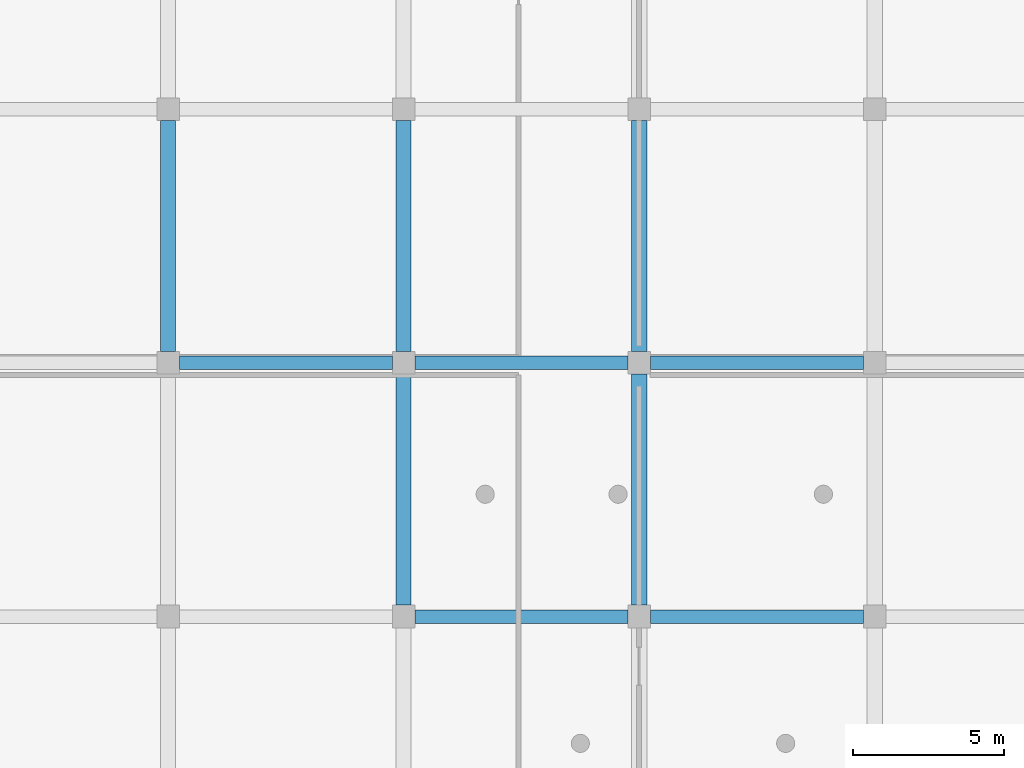
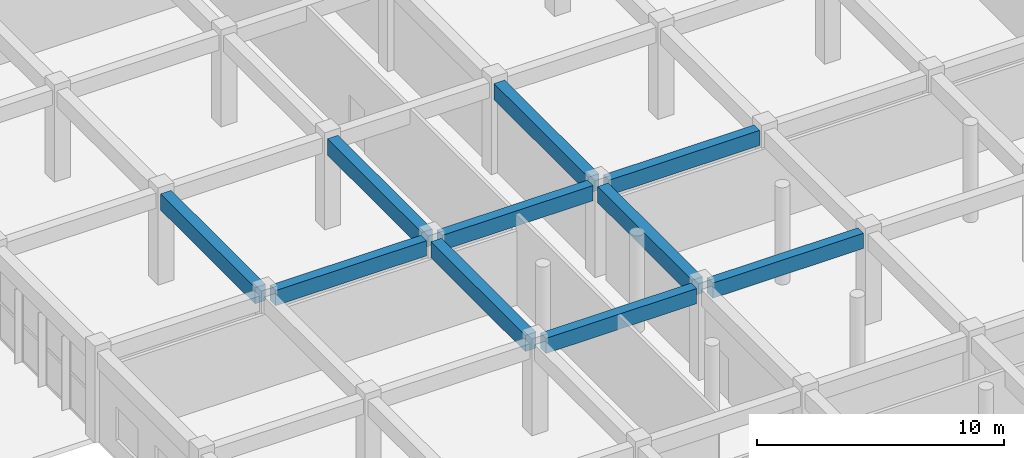
# One storey, part 13 of 175: 10 beams.
"""IFC4 building model written with IfcOpenShell, lengths in metres."""

import ifcopenshell
import ifcopenshell.guid

model = None  # the IFC model being written
_history = None  # IfcOwnerHistory: only IFC2X3 demands one
_inside = {}  # id of a spatial element -> (the spatial element, [elements in it])
_under = {}  # id of a project, library or spatial element -> (it, [spatial elements below it])
_declared = {}  # id of a project -> (the project, [libraries it declares])
_typed = {}  # id of a type object -> (the type object, [elements of that type])
_made_of = {}  # id of a material, layer set ... -> (it, [elements and type objects made of it])


def new_model(schema):
    """Start an empty IFC model of exactly this schema.

    Asked for "IFC4X3", IfcOpenShell would pick the latest addendum, in which some entities
    have other attributes; the version numbers below select the first issue.
    IFC2X3 requires an IfcOwnerHistory on every rooted entity: one is made here for all.
    """
    global model, _history
    if schema == "IFC4X3":
        model = ifcopenshell.file(schema_version=(4, 3, 0, 0))
    else:
        model = ifcopenshell.file(schema=schema)
    _inside.clear()
    _under.clear()
    _declared.clear()
    _typed.clear()
    _made_of.clear()
    _history = None
    if model.schema == "IFC2X3":
        org = make("IfcOrganization", Name="unknown")
        user = make(
            "IfcPersonAndOrganization",
            ThePerson=make("IfcPerson", FamilyName="unknown"),
            TheOrganization=org,
        )
        app = make(
            "IfcApplication",
            ApplicationDeveloper=org,
            Version="unknown",
            ApplicationFullName="unknown",
            ApplicationIdentifier="unknown",
        )
        _history = make(
            "IfcOwnerHistory",
            OwningUser=user,
            OwningApplication=app,
            ChangeAction="ADDED",
            CreationDate=0,
        )
    return model


def make(cls, **values):
    """One entity of the class cls with the attributes given. An attribute that is None is left unset."""
    return model.create_entity(
        cls, **{name: value for name, value in values.items() if value is not None}
    )


def rooted(cls, **values):
    """An entity with a GlobalId (a new one), such as an element, a storey or a relation."""
    return make(cls, GlobalId=ifcopenshell.guid.new(), OwnerHistory=_history, **values)


def si_unit(unit_type, name, prefix=None):
    """IfcSIUnit, for example si_unit("LENGTHUNIT", "METRE", prefix="MILLI")."""
    return make("IfcSIUnit", UnitType=unit_type, Prefix=prefix, Name=name)


def assignment(units):
    """IfcUnitAssignment: the units of a project."""
    return None if units is None else make("IfcUnitAssignment", Units=units)


def point(xyz):
    """IfcCartesianPoint."""
    return None if xyz is None else make("IfcCartesianPoint", Coordinates=xyz)


def direction(xyz):
    """IfcDirection."""
    return None if xyz is None else make("IfcDirection", DirectionRatios=xyz)


def frame(location, z_axis=None, x_axis=None):
    """IfcAxis2Placement3D, a coordinate frame: its origin and axes. An axis left out is left unset."""
    return make(
        "IfcAxis2Placement3D",
        Location=point(location),
        Axis=direction(z_axis),
        RefDirection=direction(x_axis),
    )


def frame_2d(location, x_axis=None):
    """IfcAxis2Placement2D, a coordinate frame in the plane: its origin and x axis."""
    return make(
        "IfcAxis2Placement2D", Location=point(location), RefDirection=direction(x_axis)
    )


def origin():
    """The frame at (0, 0, 0) with its axes left unset."""
    return frame((0.0, 0.0, 0.0))


def origin_2d():
    """The frame at (0, 0) in the plane with its x axis left unset."""
    return frame_2d((0.0, 0.0))


def place(relative_to, where):
    """IfcLocalPlacement: puts the frame where relative to a parent placement (None: the world)."""
    return make(
        "IfcLocalPlacement", PlacementRelTo=relative_to, RelativePlacement=where
    )


def context(
    kind, dimensions, precision=None, world=None, true_north=None, identifier=None
):
    """IfcGeometricRepresentationContext, for example the 3D "Model" context."""
    return make(
        "IfcGeometricRepresentationContext",
        ContextIdentifier=identifier,
        ContextType=kind,
        CoordinateSpaceDimension=dimensions,
        Precision=precision,
        WorldCoordinateSystem=world,
        TrueNorth=true_north,
    )


def subcontext(parent, identifier, kind, view, scale=None):
    """IfcGeometricRepresentationSubContext, for example "Body" below "Model"."""
    return make(
        "IfcGeometricRepresentationSubContext",
        ContextIdentifier=identifier,
        ContextType=kind,
        ParentContext=parent,
        TargetScale=scale,
        TargetView=view,
    )


def project(units=None, contexts=None):
    """IfcProject with its units and contexts."""
    return rooted(
        "IfcProject",
        Name="project",
        RepresentationContexts=contexts,
        UnitsInContext=assignment(units),
    )


def spatial(cls, under=None, at=None, **own):
    """A site, building, storey or space (cls), placed at a placement, below another one or the project."""
    s = rooted(cls, ObjectPlacement=at, **own)
    if under is not None:
        _under.setdefault(under.id(), (under, []))[1].append(s)
    return s


def profile(cls, at=None, kind="AREA", **sizes):
    """A parametric profile (cls). Its sizes go by their IFC names, for example OverallWidth=200.0."""
    return make(cls, ProfileType=kind, Position=at, **sizes)


def rectangle(**sizes):
    """IfcRectangleProfileDef."""
    return profile("IfcRectangleProfileDef", **sizes)


def extrude(swept, where, along, depth):
    """IfcExtrudedAreaSolid: the profile swept, set in the frame where, extruded along a direction by depth."""
    return make(
        "IfcExtrudedAreaSolid",
        SweptArea=swept,
        Position=where,
        ExtrudedDirection=direction(along),
        Depth=depth,
    )


def shape(context_of_items, identifier, shape_type, items):
    """IfcShapeRepresentation: the items that make up one representation, for example the "Body"."""
    return make(
        "IfcShapeRepresentation",
        ContextOfItems=context_of_items,
        RepresentationIdentifier=identifier,
        RepresentationType=shape_type,
        Items=items,
    )


def material(Name=None, Category=None):
    """IfcMaterial."""
    return make("IfcMaterial", Name=Name, Category=Category)


def material_profile(
    of_material, cross_section, Name=None, Category=None, Priority=None
):
    """IfcMaterialProfile: a cross section and its material."""
    return make(
        "IfcMaterialProfile",
        Name=Name,
        Material=of_material,
        Profile=cross_section,
        Priority=Priority,
        Category=Category,
    )


def profile_set(profiles, Name=None, composite=None):
    """IfcMaterialProfileSet."""
    return make(
        "IfcMaterialProfileSet",
        Name=Name,
        MaterialProfiles=profiles,
        CompositeProfile=composite,
    )


def made_of(thing, what):
    """Note that an element or type object is made of a material, layer set ...; save() writes the relation."""
    if what is not None:
        _made_of.setdefault(what.id(), (what, []))[1].append(thing)
    return thing


def type_object(cls, material=None, **own):
    """A type object (cls), such as IfcWallType, which elements share."""
    return made_of(rooted(cls, **own), material)


def element(
    cls,
    number,
    at=None,
    inside=None,
    cuts=None,
    type_object=None,
    material=None,
    context=None,
    identifier="Body",
    shape_type=None,
    held_by="IfcProductDefinitionShape",
    body=None,
    shapes=None,
    **own,
):
    """One element of the class cls, such as IfcWall. Its Tag is "e" and its number.

    at: its placement. inside: the storey or other place that contains it. cuts: it is an
    opening in that element (IfcRelVoidsElement). A single representation is given by context,
    identifier, shape_type and body (its items); several are given by shapes. held_by: the class
    of the entity that holds the representations. save() writes the other relations.
    """
    e = rooted(cls, Tag="e%d" % number, ObjectPlacement=at, **own)
    if body is not None:
        shapes = [shape(context, identifier, shape_type, body)]
    if shapes is not None:
        e.Representation = make(held_by, Representations=shapes)
    if inside is not None:
        _inside.setdefault(inside.id(), (inside, []))[1].append(e)
    if cuts is not None:
        rooted(
            "IfcRelVoidsElement", RelatingBuildingElement=cuts, RelatedOpeningElement=e
        )
    if type_object is not None:
        _typed.setdefault(type_object.id(), (type_object, []))[1].append(e)
    return made_of(e, material)


def aggregate(whole, parts):
    """IfcRelAggregates: a whole, such as a stair, and the parts it consists of."""
    return rooted("IfcRelAggregates", RelatingObject=whole, RelatedObjects=parts)


def save(model, path):
    """Write the relations noted so far, then the file.

    IfcRelAggregates (storeys below a building ...), IfcRelContainedInSpatialStructure (elements
    in a storey), IfcRelDefinesByType, IfcRelAssociatesMaterial and IfcRelDeclares: one each for
    every whole, place, type object, material and project.
    """
    for whole, parts in _under.values():
        aggregate(whole, parts)
    for where, things in _inside.values():
        rooted(
            "IfcRelContainedInSpatialStructure",
            RelatedElements=things,
            RelatingStructure=where,
        )
    for kind, things in _typed.values():
        rooted("IfcRelDefinesByType", RelatedObjects=things, RelatingType=kind)
    for what, things in _made_of.values():
        rooted("IfcRelAssociatesMaterial", RelatedObjects=things, RelatingMaterial=what)
    for by, libraries in _declared.values():
        rooted("IfcRelDeclares", RelatingContext=by, RelatedDefinitions=libraries)
    model.write(path)


model = new_model("IFC4")

# Units and contexts
model_context = context("Model", 3, precision=1e-05, world=origin(), true_north=direction((0.0, 1.0)))
body_context = subcontext(model_context, "Body", "Model", "MODEL_VIEW")
ifc_project = project(units=[si_unit("LENGTHUNIT", "METRE"), si_unit("AREAUNIT", "SQUARE_METRE"), si_unit("VOLUMEUNIT", "CUBIC_METRE"), si_unit("PLANEANGLEUNIT", "RADIAN"), si_unit("MASSUNIT", "GRAM", prefix="KILO")], contexts=[model_context])

# Site, building, storey
site_placement = place(None, origin())
site = spatial("IfcSite", under=ifc_project, at=site_placement, CompositionType="ELEMENT")
building_placement = place(site_placement, origin())
building = spatial("IfcBuilding", under=site, at=building_placement, Name="Zizhar Promenade General Hospital", CompositionType="ELEMENT")
storey_placement = place(building_placement, frame((0.0, 0.0, 4.800048828125)))
storey = spatial("IfcBuildingStorey", under=building, at=storey_placement, Name="L01", CompositionType="ELEMENT", Elevation=4.800048828125)

# Beams
ifc_material_1 = material(Name="Concrete C35/45", Category="concrete")
ifc_material_profile_1 = material_profile(ifc_material_1, rectangle(XDim=0.449951171875, YDim=0.75, at=origin_2d()))
ifc_profile_set_1 = profile_set([ifc_material_profile_1], Name="Concrete C35/45")
beam_type_1 = type_object("IfcBeamType", Name="BM-RC-450x750", PredefinedType="BEAM", material=ifc_profile_set_1)
beam_1_placement = place(storey_placement, frame((8.175048828125, 25.199951171875, 4.094970703125), z_axis=(1.0, 0.0, 0.0), x_axis=(0.0, 1.0, 0.0)))
element("IfcBeam", 1, at=beam_1_placement, inside=storey, type_object=beam_type_1, Name="Grid Beam X L01 (1-3)", PredefinedType="BEAM", context=body_context, shape_type="SweptSolid", body=[
    extrude(rectangle(XDim=0.449951171875, YDim=0.75, at=origin_2d()), origin(), (0.0, 0.0, 1.0), 7.050048828125),
])
for number, where, z_axis, x_axis, name in (
    (2, (15.97509765625, 16.800048828125, 4.094970703125), (1.0, 0.0, 0.0), (0.0, 1.0, 0.0), "Grid Beam X L01 (2-2)"),
    (3, (15.97509765625, 25.199951171875, 4.094970703125), (1.0, 0.0, 0.0), (0.0, 1.0, 0.0), "Grid Beam X L01 (2-3)"),
):
    element("IfcBeam", number, at=place(storey_placement, frame(where, z_axis=z_axis, x_axis=x_axis)), inside=storey, type_object=beam_type_1, Name=name, PredefinedType="BEAM", context=body_context, shape_type="SweptSolid", body=[
        extrude(rectangle(XDim=0.449951171875, YDim=0.75, at=origin_2d()), origin(), (0.0, 0.0, 1.0), 7.0498046875),
    ])
for number, where, z_axis, x_axis, name in (
    (4, (23.77490234375, 16.800048828125, 4.094970703125), (1.0, 0.0, 0.0), (0.0, 1.0, 0.0), "Grid Beam X L01 (3-2)"),
    (5, (23.77490234375, 25.199951171875, 4.094970703125), (1.0, 0.0, 0.0), (0.0, 1.0, 0.0), "Grid Beam X L01 (3-3)"),
):
    element("IfcBeam", number, at=place(storey_placement, frame(where, z_axis=z_axis, x_axis=x_axis)), inside=storey, type_object=beam_type_1, Name=name, PredefinedType="BEAM", context=body_context, shape_type="SweptSolid", body=[
        extrude(rectangle(XDim=0.449951171875, YDim=0.75, at=origin_2d()), origin(), (0.0, 0.0, 1.0), 7.050048828125),
    ])
ifc_material_2 = material(Name="Concrete C35/45", Category="concrete")
ifc_material_profile_2 = material_profile(ifc_material_2, rectangle(XDim=0.5, YDim=0.800048828125, at=origin_2d()))
ifc_profile_set_2 = profile_set([ifc_material_profile_2], Name="Concrete C35/45")
beam_type_2 = type_object("IfcBeamType", Name="BM-RC-500x800", PredefinedType="BEAM", material=ifc_profile_set_2)
beam_2_placement = place(storey_placement, frame((7.800048828125, 25.574951171875, 4.070068359375), z_axis=(0.0, 1.0, 0.0), x_axis=(-1.0, 0.0, 0.0)))
element("IfcBeam", 6, at=beam_2_placement, inside=storey, type_object=beam_type_2, Name="Grid Beam Y L01 (1-3)", PredefinedType="BEAM", context=body_context, shape_type="SweptSolid", body=[
    extrude(rectangle(XDim=0.5, YDim=0.800048828125, at=origin_2d()), origin(), (0.0, 0.0, 1.0), 7.650146484375),
])
beam_3_placement = place(storey_placement, frame((15.60009765625, 17.175048828125, 4.070068359375), z_axis=(0.0, 1.0, 0.0), x_axis=(-1.0, 0.0, 0.0)))
element("IfcBeam", 7, at=beam_3_placement, inside=storey, type_object=beam_type_2, Name="Grid Beam Y L01 (2-2)", PredefinedType="BEAM", context=body_context, shape_type="SweptSolid", body=[
    extrude(rectangle(XDim=0.5, YDim=0.800048828125, at=origin_2d()), origin(), (0.0, 0.0, 1.0), 7.64990234375),
])
beam_4_placement = place(storey_placement, frame((15.60009765625, 25.574951171875, 4.070068359375), z_axis=(0.0, 1.0, 0.0), x_axis=(-1.0, 0.0, 0.0)))
element("IfcBeam", 8, at=beam_4_placement, inside=storey, type_object=beam_type_2, Name="Grid Beam Y L01 (2-3)", PredefinedType="BEAM", context=body_context, shape_type="SweptSolid", body=[
    extrude(rectangle(XDim=0.5, YDim=0.800048828125, at=origin_2d()), origin(), (0.0, 0.0, 1.0), 7.650146484375),
])
beam_5_placement = place(storey_placement, frame((23.39990234375, 17.175048828125, 4.070068359375), z_axis=(0.0, 1.0, 0.0), x_axis=(-1.0, 0.0, 0.0)))
element("IfcBeam", 9, at=beam_5_placement, inside=storey, type_object=beam_type_2, Name="Grid Beam Y L01 (3-2)", PredefinedType="BEAM", context=body_context, shape_type="SweptSolid", body=[
    extrude(rectangle(XDim=0.5, YDim=0.800048828125, at=origin_2d()), origin(), (0.0, 0.0, 1.0), 7.64990234375),
])
beam_6_placement = place(storey_placement, frame((23.39990234375, 25.574951171875, 4.070068359375), z_axis=(0.0, 1.0, 0.0), x_axis=(-1.0, 0.0, 0.0)))
element("IfcBeam", 10, at=beam_6_placement, inside=storey, type_object=beam_type_2, Name="Grid Beam Y L01 (3-3)", PredefinedType="BEAM", context=body_context, shape_type="SweptSolid", body=[
    extrude(rectangle(XDim=0.5, YDim=0.800048828125, at=origin_2d()), origin(), (0.0, 0.0, 1.0), 7.650146484375),
])

save(model, "model.ifc")
